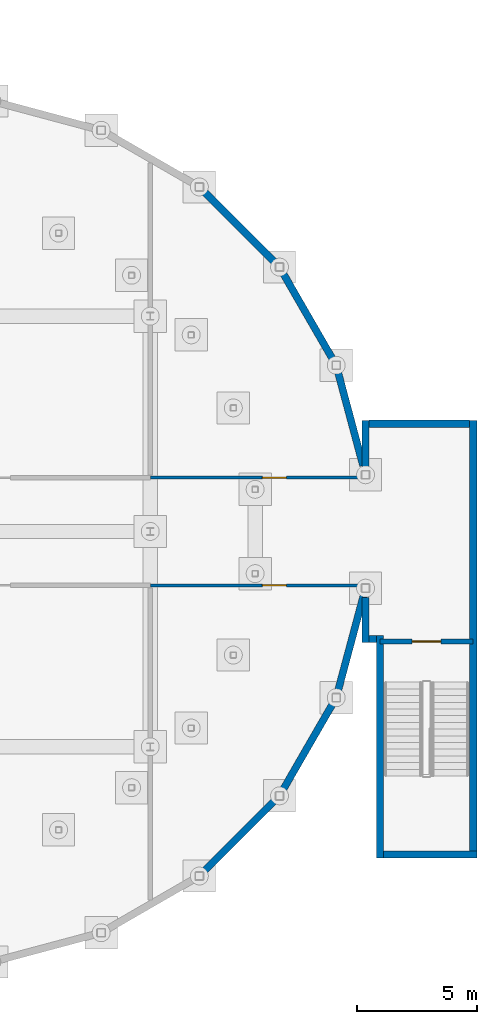
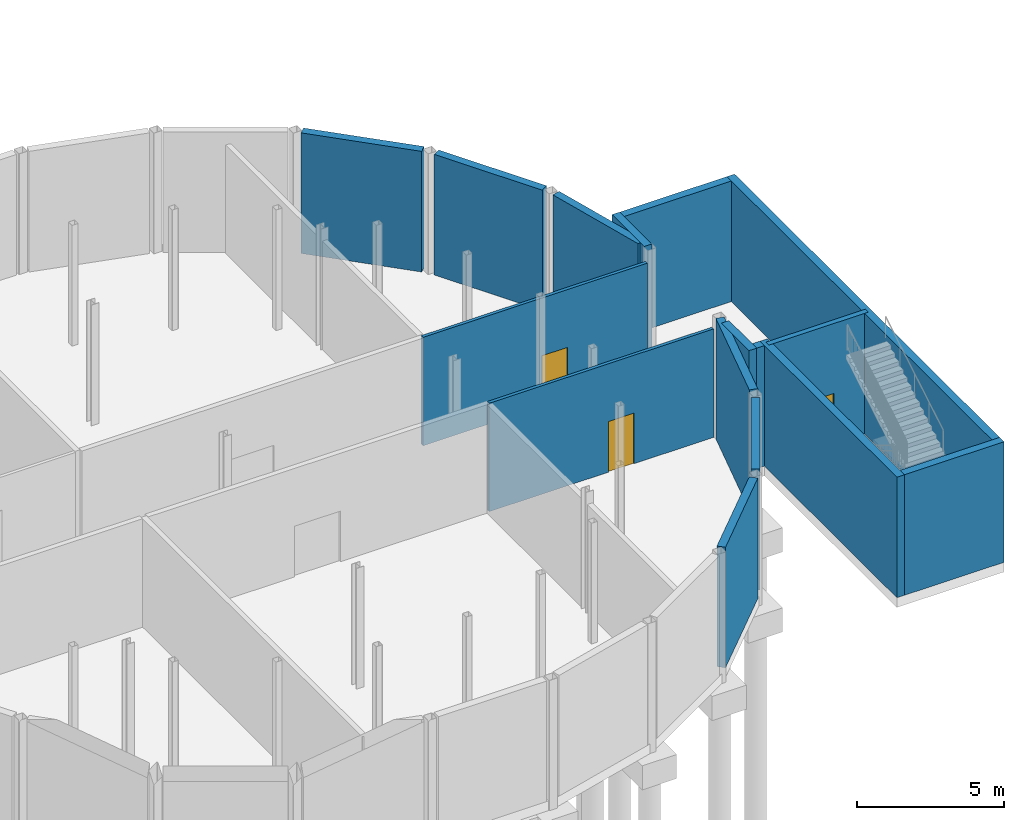
# One storey, part 17 of 25: 16 walls, 3 doors, 3 openings.
"""IFC4 building model written with IfcOpenShell, lengths in metres."""

from ifc_helpers import new_model, si_unit, direction, frame, frame_2d, origin, place, context, subcontext, project, spatial, rectangle, extrude, material, layer, layer_set, type_object, element, fill, save


model = new_model("IFC4")

# Units and contexts
model_context = context("Model", 3, precision=1e-05, world=origin(), true_north=direction((0.0, 1.0)))
body_context = subcontext(model_context, "Body", "Model", "MODEL_VIEW")
ifc_project = project(units=[si_unit("LENGTHUNIT", "METRE"), si_unit("AREAUNIT", "SQUARE_METRE"), si_unit("VOLUMEUNIT", "CUBIC_METRE"), si_unit("PLANEANGLEUNIT", "RADIAN"), si_unit("MASSUNIT", "GRAM", prefix="KILO")], contexts=[model_context])

# Site, building, storey
site_placement = place(None, origin())
site = spatial("IfcSite", under=ifc_project, at=site_placement, CompositionType="ELEMENT")
building_placement = place(site_placement, origin())
building = spatial("IfcBuilding", under=site, at=building_placement, Name="Hortulan Conservatory and Botanical Research Centre", CompositionType="ELEMENT")
storey_placement = place(building_placement, frame((0.0, 0.0, -5.0)))
storey = spatial("IfcBuildingStorey", under=building, at=storey_placement, Name="B1", CompositionType="ELEMENT", Elevation=-5.0)

# Walls
ifc_material_1 = material(Name="Concrete N40 (40 MPa, AS 3600)", Category="concrete")
ifc_layer_1 = layer(ifc_material_1, 0.300048828125)
ifc_layer_set_1 = layer_set([ifc_layer_1], Name="Basement Wall 300 N40 FRL 120/120/120")
wall_type_1 = type_object("IfcWallType", Name="Basement Wall 300 N40 FRL 120/120/120", PredefinedType="SOLIDWALL", material=ifc_layer_set_1)
wall_1_placement = place(storey_placement, frame((72.449951171875, 13.5, 0.0), z_axis=(0.0, 0.0, 1.0), x_axis=(-1.0, 0.0, 0.0)))
element("IfcWall", 1, at=wall_1_placement, inside=storey, type_object=wall_type_1, Name="Basement retaining wall", PredefinedType="SOLIDWALL", context=body_context, shape_type="SweptSolid", body=[
    extrude(rectangle(XDim=0.300048828125, YDim=0.300048828125, at=frame_2d((0.14990234375, 0.0))), origin(), (0.0, 0.0, 1.0), 5.0),
])
wall_2_placement = place(storey_placement, frame((72.0, 13.35009765625, 0.0), z_axis=(0.0, 0.0, 1.0), x_axis=(0.0, 1.0, 0.0)))
element("IfcWall", 2, at=wall_2_placement, inside=storey, type_object=wall_type_1, Name="Basement retaining wall", PredefinedType="SOLIDWALL", context=body_context, shape_type="SweptSolid", body=[
    extrude(rectangle(XDim=1.880126953125, YDim=0.300048828125, at=frame_2d((0.93994140625, 0.0))), origin(), (0.0, 0.0, 1.0), 5.0),
])
wall_3_placement = place(storey_placement, frame((71.97412109375, 15.53369140625, 0.0), z_axis=(0.0, 0.0, 1.0), x_axis=(-0.258846359831, -0.965918506916, 0.0)))
element("IfcWall", 3, at=wall_3_placement, inside=storey, type_object=wall_type_1, Name="Basement retaining wall", PredefinedType="SOLIDWALL", context=body_context, shape_type="SweptSolid", body=[
    extrude(rectangle(XDim=4.3896484375, YDim=0.300048828125, at=frame_2d((2.19482421875, 0.0))), origin(), (0.0, 0.0, 1.0), 5.0),
])
wall_4_placement = place(storey_placement, frame((70.648193359375, 10.835693359375, 0.0), z_axis=(0.0, 0.0, 1.0), x_axis=(-0.499991648869, -0.866030225258, 0.0)))
element("IfcWall", 4, at=wall_4_placement, inside=storey, type_object=wall_type_1, Name="Basement retaining wall", PredefinedType="SOLIDWALL", context=body_context, shape_type="SweptSolid", body=[
    extrude(rectangle(XDim=4.2392578125, YDim=0.300048828125, at=frame_2d((2.11962890625, 0.0))), origin(), (0.0, 0.0, 1.0), 5.0),
])
for number, where, z_axis, x_axis, name in (
    (5, (68.226806640625, 6.77099609375, 0.0), (0.0, 0.0, 1.0), (-0.707106781187, -0.707106781187, 0.0), "Basement retaining wall"),
    (6, (65.22900390625, 32.226806640625, 0.0), (0.0, 0.0, 1.0), (0.707106781187, -0.707106781187, 0.0), "Basement retaining wall"),
):
    element("IfcWall", number, at=place(storey_placement, frame(where, z_axis=z_axis, x_axis=x_axis)), inside=storey, type_object=wall_type_1, Name=name, PredefinedType="SOLIDWALL", context=body_context, shape_type="SweptSolid", body=[
        extrude(rectangle(XDim=4.239501953125, YDim=0.300048828125, at=frame_2d((2.11962890625, 0.0))), origin(), (0.0, 0.0, 1.0), 5.0),
    ])
wall_5_placement = place(storey_placement, frame((68.528564453125, 28.835693359375, 0.0), z_axis=(0.0, 0.0, 1.0), x_axis=(0.499991648869, -0.866030225258, 0.0)))
element("IfcWall", 7, at=wall_5_placement, inside=storey, type_object=wall_type_1, Name="Basement retaining wall", PredefinedType="SOLIDWALL", context=body_context, shape_type="SweptSolid", body=[
    extrude(rectangle(XDim=4.2392578125, YDim=0.300048828125, at=frame_2d((2.11962890625, 0.0))), origin(), (0.0, 0.0, 1.0), 5.0),
])
wall_6_placement = place(storey_placement, frame((70.837890625, 24.706298828125, 0.0), z_axis=(0.0, 0.0, 1.0), x_axis=(0.25885146559, -0.965917138663, 0.0)))
element("IfcWall", 8, at=wall_6_placement, inside=storey, type_object=wall_type_1, Name="Basement retaining wall", PredefinedType="SOLIDWALL", context=body_context, shape_type="SweptSolid", body=[
    extrude(rectangle(XDim=4.089599609375, YDim=0.300048828125, at=frame_2d((2.044921875, 0.0))), origin(), (0.0, 0.0, 1.0), 5.0),
])
wall_7_placement = place(storey_placement, frame((72.0, 20.4697265625, 0.0), z_axis=(0.0, 0.0, 1.0), x_axis=(0.0, 1.0, 0.0)))
element("IfcWall", 9, at=wall_7_placement, inside=storey, type_object=wall_type_1, Name="Basement retaining wall", PredefinedType="SOLIDWALL", context=body_context, shape_type="SweptSolid", body=[
    extrude(rectangle(XDim=2.18017578125, YDim=0.300048828125, at=frame_2d((1.090087890625, 0.0))), origin(), (0.0, 0.0, 1.0), 5.0),
])
wall_8_placement = place(storey_placement, frame((72.14990234375, 22.5, 0.0), z_axis=(0.0, 0.0, 1.0), x_axis=(1.0, 0.0, 0.0)))
element("IfcWall", 10, at=wall_8_placement, inside=storey, type_object=wall_type_1, Name="Basement retaining wall", PredefinedType="SOLIDWALL", context=body_context, shape_type="SweptSolid", body=[
    extrude(rectangle(XDim=4.2001953125, YDim=0.300048828125, at=frame_2d((2.10009765625, 0.0))), origin(), (0.0, 0.0, 1.0), 5.0),
])
wall_9_placement = place(storey_placement, frame((76.5, 22.64990234375, 0.0), z_axis=(0.0, 0.0, 1.0), x_axis=(0.0, -1.0, 0.0)))
element("IfcWall", 11, at=wall_9_placement, inside=storey, type_object=wall_type_1, Name="Basement retaining wall", PredefinedType="SOLIDWALL", context=body_context, shape_type="SweptSolid", body=[
    extrude(rectangle(XDim=18.0, YDim=0.300048828125, at=frame_2d((9.0, 0.0))), origin(), (0.0, 0.0, 1.0), 5.0),
])
wall_10_placement = place(storey_placement, frame((76.64990234375, 4.5, 0.0), z_axis=(0.0, 0.0, 1.0), x_axis=(-1.0, 0.0, 0.0)))
element("IfcWall", 12, at=wall_10_placement, inside=storey, type_object=wall_type_1, Name="Basement retaining wall", PredefinedType="SOLIDWALL", context=body_context, shape_type="SweptSolid", body=[
    extrude(rectangle(XDim=3.89990234375, YDim=0.300048828125, at=frame_2d((1.949951171875, 0.0))), origin(), (0.0, 0.0, 1.0), 5.0),
])
wall_11_placement = place(storey_placement, frame((72.60009765625, 4.35009765625, 0.0), z_axis=(0.0, 0.0, 1.0), x_axis=(0.0, 1.0, 0.0)))
element("IfcWall", 13, at=wall_11_placement, inside=storey, type_object=wall_type_1, Name="Basement retaining wall", PredefinedType="SOLIDWALL", context=body_context, shape_type="SweptSolid", body=[
    extrude(rectangle(XDim=9.2998046875, YDim=0.300048828125, at=frame_2d((4.64990234375, 0.0))), origin(), (0.0, 0.0, 1.0), 5.0),
])

# Wall, opening, door
ifc_layer_2 = layer(ifc_material_1, 0.199951171875)
ifc_layer_set_2 = layer_set([ifc_layer_2], Name="Head Link Shaft Wall 200")
wall_type_2 = type_object("IfcWallType", Name="Head Link Shaft Wall 200", PredefinedType="SHEAR", material=ifc_layer_set_2)
wall_12_placement = place(storey_placement, frame((72.60009765625, 13.39990234375, 0.0), z_axis=(0.0, 0.0, 1.0), x_axis=(1.0, 0.0, 0.0)))
wall_12 = element("IfcWall", 14, at=wall_12_placement, inside=storey, type_object=wall_type_2, Name="HE stair shaft north wall B1", PredefinedType="SHEAR", context=body_context, shape_type="SweptSolid", body=[
    extrude(rectangle(XDim=3.89990234375, YDim=0.199951171875, at=frame_2d((1.949951171875, 0.0))), origin(), (0.0, 0.0, 1.0), 5.0),
])
opening_1_placement = place(wall_12_placement, frame((1.35009765625, 0.0, 0.0)))
opening_1 = element("IfcOpeningElement", 15, at=opening_1_placement, cuts=wall_12, Name="Opening DT5", PredefinedType="OPENING", context=body_context, shape_type="SweptSolid", body=[
    extrude(rectangle(XDim=1.199951171875, YDim=2.10009765625, at=frame_2d((0.60009765625, 1.050048828125))), frame((0.0, 0.10986328125, 0.0), z_axis=(0.0, -1.0, 0.0), x_axis=(1.0, 0.0, 0.0)), (0.0, 0.0, 1.0), 0.219970703125),
])
ifc_material_2 = material(Name="Steel door leaf, insulated", Category="steel")
door_type_1 = type_object("IfcDoorType", Name="Stair Door 1200x2100 FRL -/120/30", OperationType="NOTDEFINED", PredefinedType="DOOR", material=ifc_material_2)
door_1_placement = place(opening_1_placement, frame((1.199951171875, 0.0, 0.0), z_axis=(0.0, 0.0, 1.0), x_axis=(-1.0, 0.0, 0.0)))
door_1 = element("IfcDoor", 16, at=door_1_placement, inside=storey, type_object=door_type_1, Name="Stair door SHE B1 N to Basement East Link Corridor", OperationType="SINGLE_SWING_RIGHT", OverallHeight=2.10009765625, OverallWidth=1.199951171875, PredefinedType="DOOR", context=body_context, shape_type="SweptSolid", body=[
    extrude(rectangle(XDim=1.199951171875, YDim=2.10009765625, at=frame_2d((0.60009765625, 1.050048828125))), frame((0.0, 0.02490234375, 0.0), z_axis=(0.0, -1.0, 0.0), x_axis=(1.0, 0.0, 0.0)), (0.0, 0.0, 1.0), 0.050048828125),
])
fill(opening_1, door_1)

ifc_material_3 = material(Name="Plasterboard on steel studs", Category="steel")
ifc_layer_3 = layer(ifc_material_3, 0.125)
ifc_layer_set_3 = layer_set([ifc_layer_3], Name="Partition 125")
wall_type_3 = type_object("IfcWallType", Name="Partition 125", PredefinedType="PARTITIONING", material=ifc_layer_set_3)
wall_13_placement = place(storey_placement, frame((63.010009765625, 15.75, 0.0), z_axis=(0.0, 0.0, 1.0), x_axis=(1.0, 0.0, 0.0)))
wall_13 = element("IfcWall", 17, at=wall_13_placement, inside=storey, type_object=wall_type_3, Name="Partition Undercroft Plant Corridor and Substrate and Compost Depot B1", PredefinedType="PARTITIONING", context=body_context, shape_type="SweptSolid", body=[
    extrude(rectangle(XDim=8.804931640625, YDim=0.125, at=frame_2d((4.40234375, 0.0))), origin(), (0.0, 0.0, 1.0), 4.49609375),
])
opening_2_placement = place(wall_13_placement, frame((4.675048828125, 0.0, 0.0)))
opening_2 = element("IfcOpeningElement", 18, at=opening_2_placement, cuts=wall_13, Name="Opening DT1", PredefinedType="OPENING", context=body_context, shape_type="SweptSolid", body=[
    extrude(rectangle(XDim=1.0, YDim=2.10009765625, at=frame_2d((0.5, 1.050048828125))), frame((0.0, 0.072509765625, 0.0), z_axis=(0.0, -1.0, 0.0), x_axis=(1.0, 0.0, 0.0)), (0.0, 0.0, 1.0), 0.14501953125),
])
ifc_material_4 = material(Name="Timber door leaf in timber frame", Category="wood")
door_type_2 = type_object("IfcDoorType", Name="Single Door 1000x2100", OperationType="NOTDEFINED", PredefinedType="DOOR", material=ifc_material_4)
door_2_placement = place(opening_2_placement, frame((1.0, 0.0, 0.0), z_axis=(0.0, 0.0, 1.0), x_axis=(-1.0, 0.0, 0.0)))
door_2 = element("IfcDoor", 19, at=door_2_placement, inside=storey, type_object=door_type_2, Name="Door DT1 Substrate and Compost Depot to Undercroft Plant Corridor", OperationType="SINGLE_SWING_RIGHT", OverallHeight=2.10009765625, OverallWidth=1.0, PredefinedType="DOOR", context=body_context, shape_type="SweptSolid", body=[
    extrude(rectangle(XDim=1.0, YDim=2.10009765625, at=frame_2d((0.5, 1.050048828125))), frame((0.0, 0.02490234375, 0.0), z_axis=(0.0, -1.0, 0.0), x_axis=(1.0, 0.0, 0.0)), (0.0, 0.0, 1.0), 0.050048828125),
])
fill(opening_2, door_2)

wall_14_placement = place(storey_placement, frame((63.010009765625, 20.25, 0.0), z_axis=(0.0, 0.0, 1.0), x_axis=(1.0, 0.0, 0.0)))
wall_14 = element("IfcWall", 20, at=wall_14_placement, inside=storey, type_object=wall_type_3, Name="Partition Undercroft Plant Corridor and Fertiliser and Chemical Depot B1", PredefinedType="PARTITIONING", context=body_context, shape_type="SweptSolid", body=[
    extrude(rectangle(XDim=8.804931640625, YDim=0.125, at=frame_2d((4.40234375, 0.0))), origin(), (0.0, 0.0, 1.0), 4.49609375),
])
opening_3_placement = place(wall_14_placement, frame((4.675048828125, 0.0, 0.0)))
opening_3 = element("IfcOpeningElement", 21, at=opening_3_placement, cuts=wall_14, Name="Opening DT1", PredefinedType="OPENING", context=body_context, shape_type="SweptSolid", body=[
    extrude(rectangle(XDim=1.0, YDim=2.10009765625, at=frame_2d((0.5, 1.050048828125))), frame((0.0, 0.072509765625, 0.0), z_axis=(0.0, -1.0, 0.0), x_axis=(1.0, 0.0, 0.0)), (0.0, 0.0, 1.0), 0.14501953125),
])
door_3_placement = place(opening_3_placement, origin())
door_3 = element("IfcDoor", 22, at=door_3_placement, inside=storey, type_object=door_type_2, Name="Door DT1 Fertiliser and Chemical Depot to Undercroft Plant Corridor", OperationType="SINGLE_SWING_LEFT", OverallHeight=2.10009765625, OverallWidth=1.0, PredefinedType="DOOR", context=body_context, shape_type="SweptSolid", body=[
    extrude(rectangle(XDim=1.0, YDim=2.10009765625, at=frame_2d((0.5, 1.050048828125))), frame((0.0, 0.02490234375, 0.0), z_axis=(0.0, -1.0, 0.0), x_axis=(1.0, 0.0, 0.0)), (0.0, 0.0, 1.0), 0.050048828125),
])
fill(opening_3, door_3)

save(model, "model.ifc")
